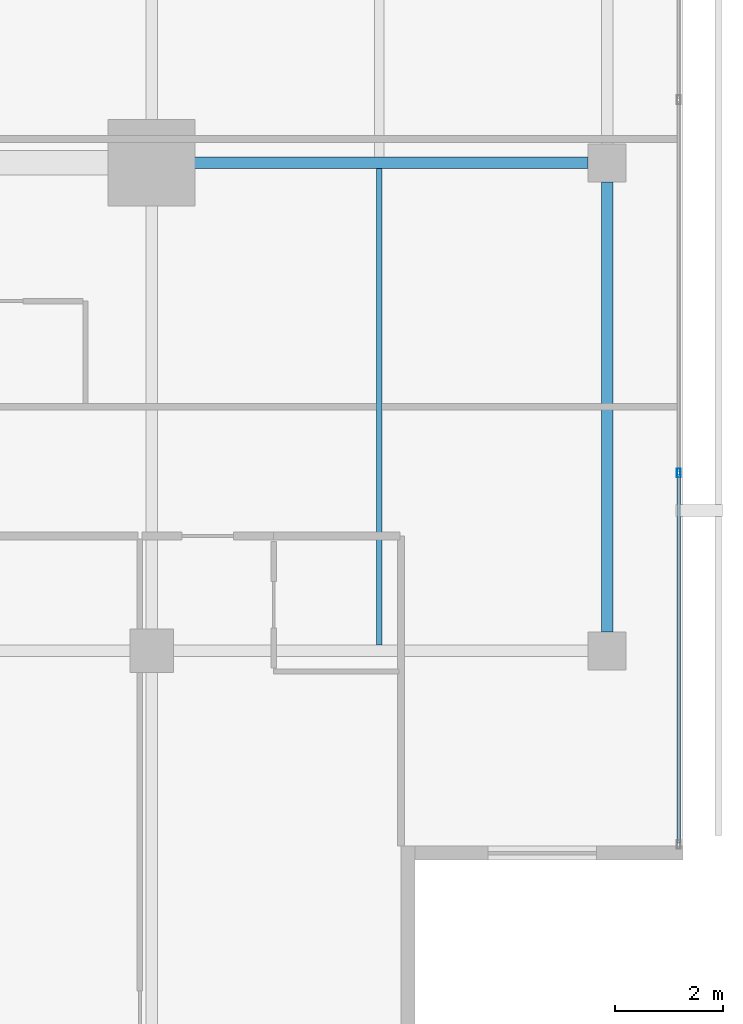
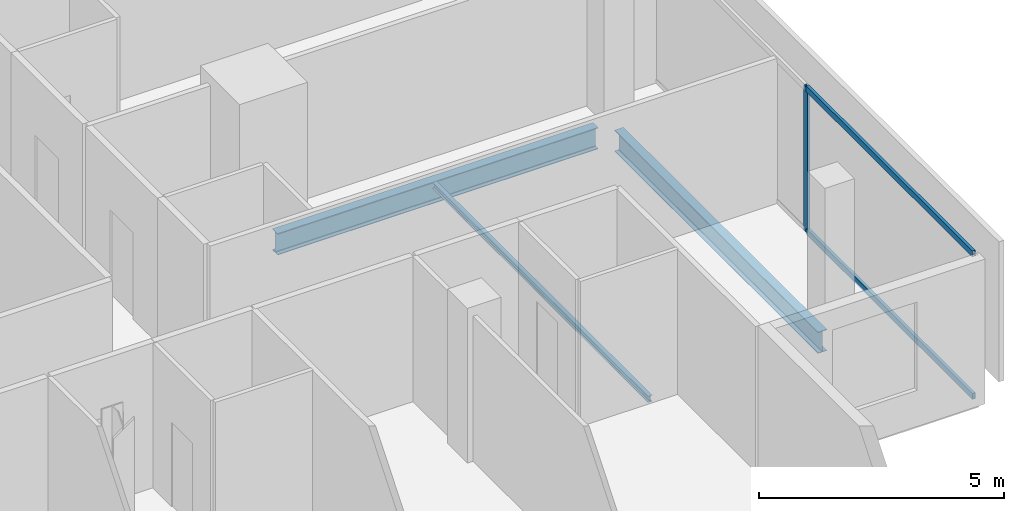
# One storey, part 12 of 26: 3 beams, 3 members, 1 element without a shape of its own.
"""IFC4 building model written with IfcOpenShell, lengths in metres."""

from ifc_helpers import new_model, si_unit, direction, frame, origin, origin_2d, place, context, subcontext, project, spatial, hollow_rectangle, i_section, extrude, material, layer, layer_set, material_profile, profile_set, type_object, element, aggregate, save


model = new_model("IFC4")

# Units and contexts
model_context = context("Model", 3, precision=1e-05, world=origin(), true_north=direction((0.0, 1.0)))
body_context = subcontext(model_context, "Body", "Model", "MODEL_VIEW")
ifc_project = project(units=[si_unit("LENGTHUNIT", "METRE"), si_unit("AREAUNIT", "SQUARE_METRE"), si_unit("VOLUMEUNIT", "CUBIC_METRE"), si_unit("PLANEANGLEUNIT", "RADIAN"), si_unit("MASSUNIT", "GRAM", prefix="KILO")], contexts=[model_context])

# Site, building, storey
site_placement = place(None, origin())
site = spatial("IfcSite", under=ifc_project, at=site_placement, CompositionType="ELEMENT")
building_placement = place(site_placement, origin())
building = spatial("IfcBuilding", under=site, at=building_placement, Name="Maruvema Waterfront Hotel and Observation Tower", CompositionType="ELEMENT")
storey_placement = place(building_placement, frame((0.0, 0.0, 254.800048828125)))
storey = spatial("IfcBuildingStorey", under=building, at=storey_placement, Name="L62", CompositionType="ELEMENT", Elevation=254.800048828125)

# Curtain wall, members
ifc_material_1 = material(Name="Anodised bronze aluminium and solar-control low-E IGU", Category="aluminium")
ifc_layer = layer(ifc_material_1, 0.159912109375, Name="Zone 3 Champagne Inner Thermal Curtain Wall System CW-04")
ifc_layer_set = layer_set([ifc_layer], Name="Anodised bronze aluminium and solar-control low-E IGU")
curtain_wall_type = type_object("IfcCurtainWallType", Name="Zone 3 Champagne Inner Thermal Curtain Wall System CW-04", PredefinedType="USERDEFINED", material=ifc_layer_set)
curtain_wall_placement = place(storey_placement, origin())
curtain_wall = element("IfcCurtainWall", 1, at=curtain_wall_placement, inside=storey, type_object=curtain_wall_type, Name="L62 Curtain Wall CW-L62-E", ObjectType="UNITISED CURTAIN WALL", PredefinedType="USERDEFINED")
ifc_material_2 = material(Name="Anodised architectural bronze aluminium", Category="aluminium")
ifc_material_profile_1 = material_profile(ifc_material_2, hollow_rectangle(XDim=0.070068359375, YDim=0.14990234375, WallThickness=0.00390625, at=origin_2d()), Name="ALU-T70x150")
ifc_profile_set_1 = profile_set([ifc_material_profile_1], Name="Anodised architectural bronze aluminium")
member_type_1 = type_object("IfcMemberType", Name="Curtain Wall Horizontal Transom ALU-T70x150", PredefinedType="USERDEFINED", material=ifc_profile_set_1)
member_1_placement = place(storey_placement, frame((60.1201171875, 14.4599609375, 0.030029296875), z_axis=(0.0, 1.0, 0.0), x_axis=(-1.0, 0.0, 0.0)))
member_1 = element("IfcMember", 2, at=member_1_placement, type_object=member_type_1, Name="CW-04 transom 1.1", ObjectType="TRANSOM", PredefinedType="USERDEFINED", context=body_context, shape_type="SweptSolid", body=[
    extrude(hollow_rectangle(XDim=0.070068359375, YDim=0.14990234375, WallThickness=0.00390625, at=origin_2d()), origin(), (0.0, 0.0, 1.0), 6.7900390625),
])
member_2_placement = place(storey_placement, frame((60.1201171875, 14.4599609375, 3.579833984375), z_axis=(0.0, 1.0, 0.0), x_axis=(-1.0, 0.0, 0.0)))
member_2 = element("IfcMember", 3, at=member_2_placement, type_object=member_type_1, Name="CW-04 transom 1.2", ObjectType="TRANSOM", PredefinedType="USERDEFINED", context=body_context, shape_type="SweptSolid", body=[
    extrude(hollow_rectangle(XDim=0.070068359375, YDim=0.14990234375, WallThickness=0.00390625, at=origin_2d()), origin(), (0.0, 0.0, 1.0), 6.7900390625),
])
ifc_material_3 = material(Name="Anodised architectural bronze aluminium", Category="aluminium")
ifc_material_profile_2 = material_profile(ifc_material_3, hollow_rectangle(XDim=0.06494140625, YDim=0.1650390625, WallThickness=0.00390625, at=origin_2d()), Name="ALU-M65x165")
ifc_profile_set_2 = profile_set([ifc_material_profile_2], Name="Anodised architectural bronze aluminium")
member_type_2 = type_object("IfcMemberType", Name="Curtain Wall Primary Mullion ALU-M65x165", PredefinedType="MULLION", material=ifc_profile_set_2)
member_3_placement = place(storey_placement, frame((60.1201171875, 21.280029296875, 0.0), z_axis=(0.0, 0.0, 1.0), x_axis=(-1.0, 0.0, 0.0)))
member_3 = element("IfcMember", 4, at=member_3_placement, type_object=member_type_2, Name="CW-04 mullion 2", PredefinedType="MULLION", context=body_context, shape_type="SweptSolid", body=[
    extrude(hollow_rectangle(XDim=0.06494140625, YDim=0.1650390625, WallThickness=0.00390625, at=origin_2d()), origin(), (0.0, 0.0, 1.0), 3.60986328125),
])
aggregate(curtain_wall, [member_3, member_1, member_2])

# Beams
ifc_material_4 = material(Name="Steel ASTM A572 Grade 50", Category="steel")
ifc_material_profile_3 = material_profile(ifc_material_4, i_section(OverallWidth=0.208984375, OverallDepth=0.532958984375, WebThickness=0.01025390625, FlangeThickness=0.015625, FilletRadius=0.014892578125, at=origin_2d()), Name="W530x92.0")
ifc_profile_set_3 = profile_set([ifc_material_profile_3], Name="Steel ASTM A572 Grade 50")
beam_type_1 = type_object("IfcBeamType", Name="Primary Floor Girder W530x92.0", PredefinedType="BEAM", material=ifc_profile_set_3)
beam_1_placement = place(storey_placement, frame((50.89990234375, 27.0, -0.506591796875), z_axis=(1.0, 0.0, 0.0), x_axis=(0.0, 1.0, 0.0)))
element("IfcBeam", 5, at=beam_1_placement, inside=storey, type_object=beam_type_1, Name="L62 Floor Girder EW-11", PredefinedType="BEAM", context=body_context, shape_type="SweptSolid", body=[
    extrude(i_section(OverallWidth=0.208984375, OverallDepth=0.532958984375, WebThickness=0.01025390625, FlangeThickness=0.015625, FilletRadius=0.014892578125, at=origin_2d()), origin(), (0.0, 0.0, 1.0), 7.550048828125),
])
beam_2_placement = place(storey_placement, frame((58.800048828125, 18.35009765625, -0.506591796875), z_axis=(0.0, 1.0, 0.0), x_axis=(-1.0, 0.0, 0.0)))
element("IfcBeam", 6, at=beam_2_placement, inside=storey, type_object=beam_type_1, Name="L62 Floor Girder NS-16", PredefinedType="BEAM", context=body_context, shape_type="SweptSolid", body=[
    extrude(i_section(OverallWidth=0.208984375, OverallDepth=0.532958984375, WebThickness=0.01025390625, FlangeThickness=0.015625, FilletRadius=0.014892578125, at=origin_2d()), origin(), (0.0, 0.0, 1.0), 8.2998046875),
])
ifc_material_5 = material(Name="Steel ASTM A572 Grade 50", Category="steel")
ifc_material_profile_4 = material_profile(ifc_material_5, i_section(OverallWidth=0.10009765625, OverallDepth=0.153076171875, WebThickness=0.005859375, FlangeThickness=0.007080078125, FilletRadius=0.008056640625, at=origin_2d()), Name="W150x18.0")
ifc_profile_set_4 = profile_set([ifc_material_profile_4], Name="Steel ASTM A572 Grade 50")
beam_type_2 = type_object("IfcBeamType", Name="Secondary Floor Joist W150x18.0", PredefinedType="JOIST", material=ifc_profile_set_4)
beam_3_placement = place(storey_placement, frame((54.60009765625, 18.1044921875, -0.316650390625), z_axis=(0.0, 1.0, 0.0), x_axis=(-1.0, 0.0, 0.0)))
element("IfcBeam", 7, at=beam_3_placement, inside=storey, type_object=beam_type_2, Name="L62 Secondary Floor Joist JS-07", PredefinedType="JOIST", context=body_context, shape_type="SweptSolid", body=[
    extrude(i_section(OverallWidth=0.10009765625, OverallDepth=0.153076171875, WebThickness=0.005859375, FlangeThickness=0.007080078125, FilletRadius=0.008056640625, at=origin_2d()), origin(), (0.0, 0.0, 1.0), 8.791015625),
])

save(model, "model.ifc")
